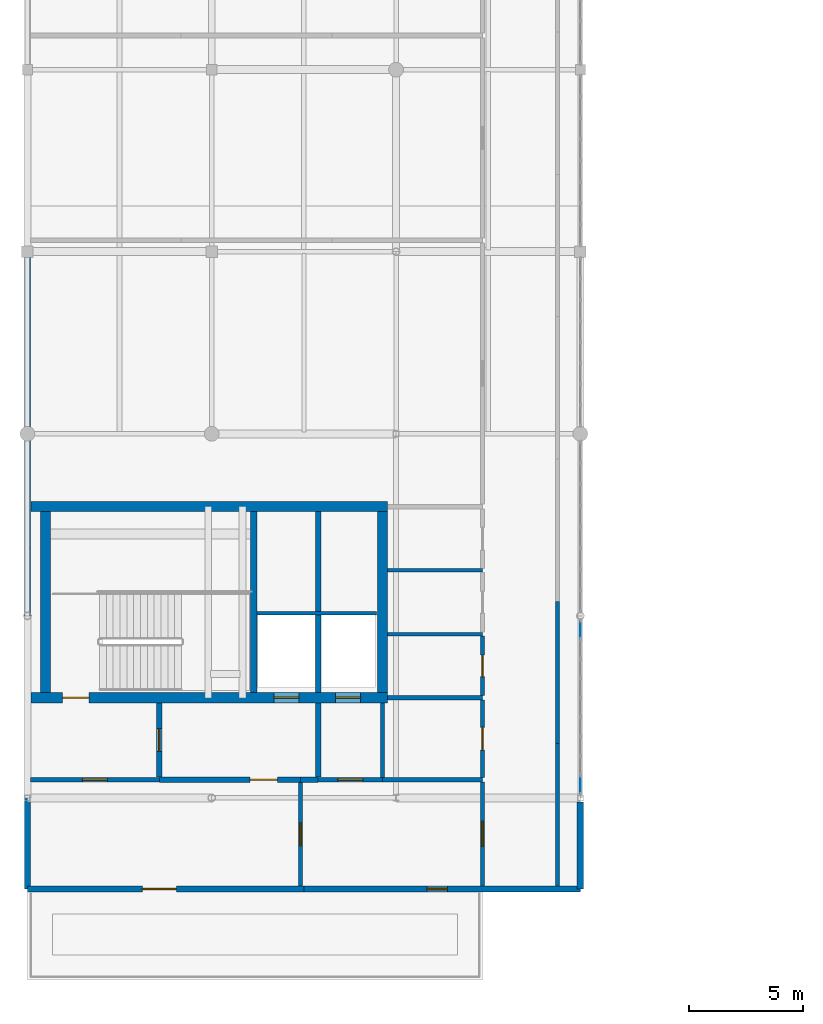
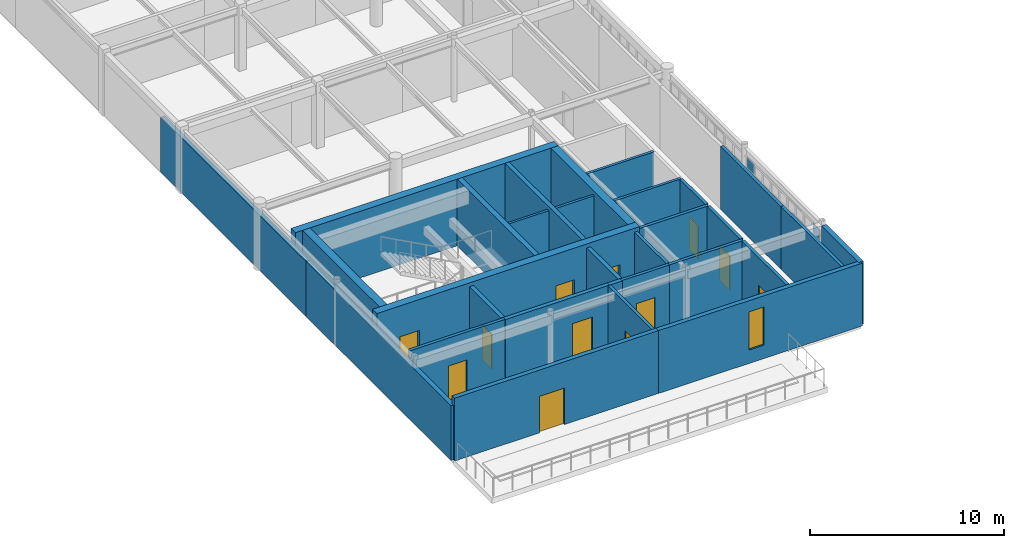
# One storey, part 12 of 18: 29 walls, 12 doors, 2 plates, 1 window, 13 openings, 1 element without a shape of its own.
"""IFC4 building model written with IfcOpenShell, lengths in metres."""

from ifc_helpers import new_model, si_unit, direction, frame, frame_2d, origin, origin_2d, place, context, subcontext, project, spatial, rectangle, extrude, material, layer, layer_set, type_object, element, fill, aggregate, save


model = new_model("IFC4")

# Units and contexts
model_context = context("Model", 3, precision=1e-05, world=origin(), true_north=direction((0.0, 1.0)))
body_context = subcontext(model_context, "Body", "Model", "MODEL_VIEW")
ifc_project = project(units=[si_unit("LENGTHUNIT", "METRE"), si_unit("AREAUNIT", "SQUARE_METRE"), si_unit("VOLUMEUNIT", "CUBIC_METRE"), si_unit("PLANEANGLEUNIT", "RADIAN"), si_unit("MASSUNIT", "GRAM", prefix="KILO")], contexts=[model_context])

# Site, building, storey
site_placement = place(None, origin())
site = spatial("IfcSite", under=ifc_project, at=site_placement, CompositionType="ELEMENT")
building_placement = place(site_placement, origin())
building = spatial("IfcBuilding", under=site, at=building_placement, Name="Tarnveldt Square Police Headquarters", CompositionType="ELEMENT")
storey_placement = place(building_placement, frame((0.0, 0.0, 29.10009765625)))
storey = spatial("IfcBuildingStorey", under=building, at=storey_placement, Name="L06", CompositionType="ELEMENT", Elevation=29.10009765625)

# Curtain wall, plates
ifc_material_1 = material(Name="Triple-glazed low-e laminated vision glass", Category="glass")
curtain_wall_type = type_object("IfcCurtainWallType", Name="CW-UP-768x349", PredefinedType="USERDEFINED", material=ifc_material_1)
curtain_wall_placement = place(storey_placement, origin())
curtain_wall = element("IfcCurtainWall", 1, at=curtain_wall_placement, inside=storey, type_object=curtain_wall_type, Name="L06 Curtain Wall CW-L06-089", ObjectType="GLAZED CURTAIN WALL", PredefinedType="USERDEFINED")
ifc_layer_1 = layer(ifc_material_1, 0.028076171875)
ifc_layer_set_1 = layer_set([ifc_layer_1], Name="Triple-glazed low-e laminated vision glass")
plate_type = type_object("IfcPlateType", Name="CWP-VIS-28", PredefinedType="CURTAIN_PANEL", material=ifc_layer_set_1)
plate_1_placement = place(storey_placement, frame((40.5, 56.5849609375, 2.771484375), z_axis=(0.0, 0.0, 1.0), x_axis=(0.0, 1.0, 0.0)))
plate_1 = element("IfcPlate", 2, at=plate_1_placement, type_object=plate_type, Name="CW-UP47 panel 1.3", PredefinedType="CURTAIN_PANEL", context=body_context, shape_type="SweptSolid", body=[
    extrude(rectangle(XDim=0.755859375, YDim=0.028076171875, at=origin_2d()), origin(), (0.0, 0.0, 1.0), 0.652587890625),
])
plate_2_placement = place(storey_placement, frame((40.5, 63.380126953125, 2.771484375), z_axis=(0.0, 0.0, 1.0), x_axis=(0.0, 1.0, 0.0)))
plate_2 = element("IfcPlate", 3, at=plate_2_placement, type_object=plate_type, Name="CW-UP47 panel 9.3", PredefinedType="CURTAIN_PANEL", context=body_context, shape_type="SweptSolid", body=[
    extrude(rectangle(XDim=0.755859375, YDim=0.028076171875, at=origin_2d()), origin(), (0.0, 0.0, 1.0), 0.652587890625),
])
aggregate(curtain_wall, [plate_1, plate_2])

# Wall, openings, doors
ifc_material_2 = material(Name="Concrete 50 MPa", Category="concrete")
ifc_layer_2 = layer(ifc_material_2, 0.449951171875)
ifc_layer_set_2 = layer_set([ifc_layer_2], Name="Concrete 50 MPa")
wall_type_1 = type_object("IfcWallType", Name="WL-CORE-450", PredefinedType="SHEAR", material=ifc_layer_set_2)
wall_1_placement = place(storey_placement, frame((16.360107421875, 60.39990234375, 0.0), z_axis=(0.0, 0.0, 1.0), x_axis=(1.0, 0.0, 0.0)))
wall_1 = element("IfcWall", 4, at=wall_1_placement, inside=storey, type_object=wall_type_1, Name="Core K1 South-West Command and Firefighting Core L06 South Shear Wall", PredefinedType="SHEAR", context=body_context, shape_type="SweptSolid", body=[
    extrude(rectangle(XDim=15.664794921875, YDim=0.449951171875, at=frame_2d((7.83251953125, 0.0))), origin(), (0.0, 0.0, 1.0), 4.199951171875),
])
opening_1_placement = place(wall_1_placement, frame((1.389892578125, 0.0, 0.0)))
opening_1 = element("IfcOpeningElement", 5, at=opening_1_placement, cuts=wall_1, Name="Opening D-ST1-L06", PredefinedType="OPENING", context=body_context, shape_type="SweptSolid", body=[
    extrude(rectangle(XDim=1.14990234375, YDim=2.25, at=frame_2d((0.574951171875, 1.125))), frame((0.0, 0.23486328125, 0.0), z_axis=(0.0, -1.0, 0.0), x_axis=(1.0, 0.0, 0.0)), (0.0, 0.0, 1.0), 0.469970703125),
])
opening_2_placement = place(wall_1_placement, frame((10.672607421875, 0.0, 0.0)))
opening_2 = element("IfcOpeningElement", 6, at=opening_2_placement, cuts=wall_1, Name="Opening LD-LF1-L06", PredefinedType="OPENING", context=body_context, shape_type="SweptSolid", body=[
    extrude(rectangle(XDim=1.10009765625, YDim=2.199951171875, at=frame_2d((0.550048828125, 1.10009765625))), frame((0.0, 0.23486328125, 0.0), z_axis=(0.0, -1.0, 0.0), x_axis=(1.0, 0.0, 0.0)), (0.0, 0.0, 1.0), 0.469970703125),
])
opening_3_placement = place(wall_1_placement, frame((13.387451171875, 0.0, 0.0)))
opening_3 = element("IfcOpeningElement", 7, at=opening_3_placement, cuts=wall_1, Name="Opening LD-LP1-L06", PredefinedType="OPENING", context=body_context, shape_type="SweptSolid", body=[
    extrude(rectangle(XDim=1.10009765625, YDim=2.199951171875, at=frame_2d((0.550048828125, 1.10009765625))), frame((0.0, 0.23486328125, 0.0), z_axis=(0.0, -1.0, 0.0), x_axis=(1.0, 0.0, 0.0)), (0.0, 0.0, 1.0), 0.469970703125),
])
ifc_material_3 = material(Name="Insulated hollow metal steel door leaf", Category="steel")
door_type_1 = type_object("IfcDoorType", Name="DR-FD90-1150", OperationType="NOTDEFINED", PredefinedType="DOOR", material=ifc_material_3)
door_1_placement = place(opening_1_placement, origin())
door_1 = element("IfcDoor", 8, at=door_1_placement, inside=storey, type_object=door_type_1, Name="Exit Stair ST1 L06 Fire Door", OperationType="SINGLE_SWING_RIGHT", OverallHeight=2.25, OverallWidth=1.14990234375, PredefinedType="DOOR", context=body_context, shape_type="SweptSolid", body=[
    extrude(rectangle(XDim=1.14990234375, YDim=2.25, at=frame_2d((0.574951171875, 1.125))), frame((0.0, 0.02490234375, 0.0), z_axis=(0.0, -1.0, 0.0), x_axis=(1.0, 0.0, 0.0)), (0.0, 0.0, 1.0), 0.050048828125),
])
fill(opening_1, door_1)
ifc_material_4 = material(Name="Steel 350W", Category="steel")
door_type_2 = type_object("IfcDoorType", Name="DR-LD-1100", OperationType="DOUBLE_DOOR_SLIDING", PredefinedType="DOOR", material=ifc_material_4)
door_2_placement = place(opening_2_placement, frame((1.10009765625, 0.0, 0.0), z_axis=(0.0, 0.0, 1.0), x_axis=(-1.0, 0.0, 0.0)))
door_2 = element("IfcDoor", 9, at=door_2_placement, inside=storey, type_object=door_type_2, Name="Elevator LF1 L06 Sliding Landing Door", OperationType="DOUBLE_DOOR_SLIDING", OverallHeight=2.199951171875, OverallWidth=1.10009765625, PredefinedType="DOOR", context=body_context, shape_type="SweptSolid", body=[
    extrude(rectangle(XDim=1.10009765625, YDim=2.199951171875, at=frame_2d((0.550048828125, 1.10009765625))), frame((0.0, 0.02490234375, 0.0), z_axis=(0.0, -1.0, 0.0), x_axis=(1.0, 0.0, 0.0)), (0.0, 0.0, 1.0), 0.050048828125),
])
fill(opening_2, door_2)
door_3_placement = place(opening_3_placement, frame((1.10009765625, 0.0, 0.0), z_axis=(0.0, 0.0, 1.0), x_axis=(-1.0, 0.0, 0.0)))
door_3 = element("IfcDoor", 10, at=door_3_placement, inside=storey, type_object=door_type_2, Name="Elevator LP1 L06 Sliding Landing Door", OperationType="DOUBLE_DOOR_SLIDING", OverallHeight=2.199951171875, OverallWidth=1.10009765625, PredefinedType="DOOR", context=body_context, shape_type="SweptSolid", body=[
    extrude(rectangle(XDim=1.10009765625, YDim=2.199951171875, at=frame_2d((0.550048828125, 1.10009765625))), frame((0.0, 0.02490234375, 0.0), z_axis=(0.0, -1.0, 0.0), x_axis=(1.0, 0.0, 0.0)), (0.0, 0.0, 1.0), 0.050048828125),
])
fill(opening_3, door_3)

# Walls
wall_2_placement = place(storey_placement, frame((16.360107421875, 68.800048828125, 0.0), z_axis=(0.0, 0.0, 1.0), x_axis=(1.0, 0.0, 0.0)))
element("IfcWall", 11, at=wall_2_placement, inside=storey, type_object=wall_type_1, Name="Core K1 South-West Command and Firefighting Core L06 North Shear Wall", PredefinedType="SHEAR", context=body_context, shape_type="SweptSolid", body=[
    extrude(rectangle(XDim=15.664794921875, YDim=0.449951171875, at=frame_2d((7.83251953125, 0.0))), origin(), (0.0, 0.0, 1.0), 4.199951171875),
])
for number, where, z_axis, x_axis, name in (
    (12, (17.0, 60.625, 0.0), (0.0, 0.0, 1.0), (0.0, 1.0, 0.0), "Core K1 South-West Command and Firefighting Core L06 West Shear Wall"),
    (13, (31.800048828125, 60.625, 0.0), (0.0, 0.0, 1.0), (0.0, 1.0, 0.0), "Core K1 South-West Command and Firefighting Core L06 East Shear Wall"),
):
    element("IfcWall", number, at=place(storey_placement, frame(where, z_axis=z_axis, x_axis=x_axis)), inside=storey, type_object=wall_type_1, Name=name, PredefinedType="SHEAR", context=body_context, shape_type="SweptSolid", body=[
        extrude(rectangle(XDim=7.949951171875, YDim=0.449951171875, at=frame_2d((3.97509765625, 0.0))), origin(), (0.0, 0.0, 1.0), 4.199951171875),
    ])
wall_3_placement = place(storey_placement, frame((26.14990234375, 60.625, 0.0), z_axis=(0.0, 0.0, 1.0), x_axis=(0.0, 1.0, 0.0)))
element("IfcWall", 14, at=wall_3_placement, inside=storey, type_object=wall_type_1, Name="Core K1 South-West Command and Firefighting Core L06 Stair-Lift Divider Shear Wall", PredefinedType="SHEAR", context=body_context, shape_type="SweptSolid", body=[
    extrude(rectangle(XDim=7.949951171875, YDim=0.300048828125, at=frame_2d((3.97509765625, 0.0))), origin(), (0.0, 0.0, 1.0), 4.199951171875),
])
wall_4_placement = place(storey_placement, frame((28.97509765625, 60.625, 0.0), z_axis=(0.0, 0.0, 1.0), x_axis=(0.0, 1.0, 0.0)))
element("IfcWall", 15, at=wall_4_placement, inside=storey, type_object=wall_type_1, Name="Core K1 South-West Command and Firefighting Core L06 Dual-Lift Shaft Divider Wall", PredefinedType="SHEAR", context=body_context, shape_type="SweptSolid", body=[
    extrude(rectangle(XDim=7.949951171875, YDim=0.25, at=frame_2d((3.97509765625, 0.0))), origin(), (0.0, 0.0, 1.0), 4.199951171875),
])
ifc_material_5 = material(Name="Precast concrete 35 MPa", Category="concrete")
ifc_layer_3 = layer(ifc_material_5, 0.260009765625)
ifc_layer_set_3 = layer_set([ifc_layer_3], Name="Precast concrete 35 MPa")
wall_type_2 = type_object("IfcWallType", Name="WL-EXT-PC260", PredefinedType="SOLIDWALL", material=ifc_layer_set_3)
for number, where, z_axis, x_axis, name in (
    (16, (16.199951171875, 82.0, 0.0), (0.0, 0.0, 1.0), (0.0, -1.0, 0.0), "L06 Brutalist Exterior Wall 0240"),
    (17, (16.199951171875, 67.0, 0.0), (0.0, 0.0, 1.0), (0.0, -1.0, 0.0), "L06 Brutalist Exterior Wall 0241"),
):
    element("IfcWall", number, at=place(storey_placement, frame(where, z_axis=z_axis, x_axis=x_axis)), inside=storey, type_object=wall_type_2, Name=name, PredefinedType="SOLIDWALL", context=body_context, shape_type="SweptSolid", body=[
        extrude(rectangle(XDim=15.0, YDim=0.260009765625, at=frame_2d((7.5, 0.0))), origin(), (0.0, 0.0, 1.0), 3.451904296875),
    ])

# Wall, opening, door
wall_5_placement = place(storey_placement, frame((16.199951171875, 52.0, 0.0), z_axis=(0.0, 0.0, 1.0), x_axis=(1.0, 0.0, 0.0)))
wall_5 = element("IfcWall", 18, at=wall_5_placement, inside=storey, type_object=wall_type_2, Name="L06 Brutalist Exterior Wall 0242", PredefinedType="SOLIDWALL", context=body_context, shape_type="SweptSolid", body=[
    extrude(rectangle(XDim=12.150146484375, YDim=0.260009765625, at=frame_2d((6.0751953125, 0.0))), origin(), (0.0, 0.0, 1.0), 3.9599609375),
])
opening_4_placement = place(wall_5_placement, frame((5.050048828125, 0.0, 0.0)))
opening_4 = element("IfcOpeningElement", 19, at=opening_4_placement, cuts=wall_5, Name="Opening DT3", PredefinedType="OPENING", context=body_context, shape_type="SweptSolid", body=[
    extrude(rectangle(XDim=1.5, YDim=2.300048828125, at=frame_2d((0.75, 1.14990234375))), frame((0.0, 0.139892578125, 0.0), z_axis=(0.0, -1.0, 0.0), x_axis=(1.0, 0.0, 0.0)), (0.0, 0.0, 1.0), 0.280029296875),
])
ifc_material_6 = material(Name="Thermally broken anodised aluminium 6063-T6", Category="aluminium")
door_type_3 = type_object("IfcDoorType", Name="DR-TER-1500", OperationType="DOUBLE_DOOR_SINGLE_SWING", PredefinedType="DOOR", material=ifc_material_6)
door_4_placement = place(opening_4_placement, frame((1.5, 0.0, 0.0), z_axis=(0.0, 0.0, 1.0), x_axis=(-1.0, 0.0, 0.0)))
door_4 = element("IfcDoor", 20, at=door_4_placement, inside=storey, type_object=door_type_3, Name="Investigation Mid-Rise Setback Terrace Access Door", OperationType="DOUBLE_DOOR_SINGLE_SWING", OverallHeight=2.300048828125, OverallWidth=1.5, PredefinedType="DOOR", context=body_context, shape_type="SweptSolid", body=[
    extrude(rectangle(XDim=1.5, YDim=2.300048828125, at=frame_2d((0.75, 1.14990234375))), frame((0.0, 0.02490234375, 0.0), z_axis=(0.0, -1.0, 0.0), x_axis=(1.0, 0.0, 0.0)), (0.0, 0.0, 1.0), 0.050048828125),
])
fill(opening_4, door_4)

# Wall, opening, window
wall_6_placement = place(storey_placement, frame((28.35009765625, 52.0, 0.0), z_axis=(0.0, 0.0, 1.0), x_axis=(1.0, 0.0, 0.0)))
wall_6 = element("IfcWall", 21, at=wall_6_placement, inside=storey, type_object=wall_type_2, Name="L06 Brutalist Exterior Wall 0243", PredefinedType="SOLIDWALL", context=body_context, shape_type="SweptSolid", body=[
    extrude(rectangle(XDim=12.14990234375, YDim=0.260009765625, at=frame_2d((6.074951171875, 0.0))), origin(), (0.0, 0.0, 1.0), 3.9599609375),
])
opening_5_placement = place(wall_6_placement, frame((5.39990234375, 0.0, 0.85009765625)))
opening_5 = element("IfcOpeningElement", 22, at=opening_5_placement, cuts=wall_6, Name="Opening W03", PredefinedType="OPENING", context=body_context, shape_type="SweptSolid", body=[
    extrude(rectangle(XDim=0.89990234375, YDim=2.39990234375, at=frame_2d((0.449951171875, 1.199951171875))), frame((0.0, 0.139892578125, 0.0), z_axis=(0.0, -1.0, 0.0), x_axis=(1.0, 0.0, 0.0)), (0.0, 0.0, 1.0), 0.280029296875),
])
window_type = type_object("IfcWindowType", Name="WIN-DR-090x240", PartitioningType="DOUBLE_PANEL_HORIZONTAL", PredefinedType="WINDOW", material=ifc_material_1)
window_placement = place(opening_5_placement, origin())
window = element("IfcWindow", 23, at=window_placement, inside=storey, type_object=window_type, Name="L06 Deep-Reveal Brutalist Window 0123", OverallHeight=2.39990234375, OverallWidth=0.89990234375, PartitioningType="DOUBLE_PANEL_HORIZONTAL", PredefinedType="WINDOW", context=body_context, shape_type="SweptSolid", body=[
    extrude(rectangle(XDim=0.89990234375, YDim=2.39990234375, at=frame_2d((0.449951171875, 1.199951171875))), frame((0.0, 0.030029296875, 0.0), z_axis=(0.0, -1.0, 0.0), x_axis=(1.0, 0.0, 0.0)), (0.0, 0.0, 1.0), 0.06005859375),
])
fill(opening_5, window)

# Wall
ifc_layer_4 = layer(ifc_material_5, 0.280029296875)
ifc_layer_set_4 = layer_set([ifc_layer_4], Name="Precast concrete 35 MPa")
wall_type_3 = type_object("IfcWallType", Name="WL-EXT-PC280", PredefinedType="SOLIDWALL", material=ifc_layer_set_4)
wall_7_placement = place(storey_placement, frame((40.5, 52.0, 0.0), z_axis=(0.0, 0.0, 1.0), x_axis=(0.0, 1.0, 0.0)))
element("IfcWall", 24, at=wall_7_placement, inside=storey, type_object=wall_type_3, Name="L06 Brutalist Exterior Wall 0229", PredefinedType="SOLIDWALL", context=body_context, shape_type="SweptSolid", body=[
    extrude(rectangle(XDim=3.820068359375, YDim=0.280029296875, at=frame_2d((1.91015625, 0.0))), origin(), (0.0, 0.0, 1.0), 3.9599609375),
])

# Wall, opening, door
ifc_material_7 = material(Name="Fire-rated Type X gypsum board on steel studs", Category="steel")
ifc_layer_5 = layer(ifc_material_7, 0.179931640625)
ifc_layer_set_5 = layer_set([ifc_layer_5], Name="Fire-rated Type X gypsum board on steel studs")
wall_type_4 = type_object("IfcWallType", Name="WL-FIRE-180", PredefinedType="PARTITIONING", material=ifc_layer_set_5)
wall_8_placement = place(storey_placement, frame((16.337890625, 56.800048828125, 0.0), z_axis=(0.0, 0.0, 1.0), x_axis=(1.0, 0.0, 0.0)))
wall_8 = element("IfcWall", 25, at=wall_8_placement, inside=storey, type_object=wall_type_4, Name="L06 Interior Partition Wall 0660", PredefinedType="PARTITIONING", context=body_context, shape_type="SweptSolid", body=[
    extrude(rectangle(XDim=5.662109375, YDim=0.179931640625, at=frame_2d((2.8310546875, 0.0))), origin(), (0.0, 0.0, 1.0), 3.9599609375),
])
opening_6_placement = place(wall_8_placement, frame((2.281005859375, 0.0, 0.0)))
opening_6 = element("IfcOpeningElement", 26, at=opening_6_placement, cuts=wall_8, Name="Opening D15", PredefinedType="OPENING", context=body_context, shape_type="SweptSolid", body=[
    extrude(rectangle(XDim=1.10009765625, YDim=2.199951171875, at=frame_2d((0.550048828125, 1.10009765625))), frame((0.0, 0.099853515625, 0.0), z_axis=(0.0, -1.0, 0.0), x_axis=(1.0, 0.0, 0.0)), (0.0, 0.0, 1.0), 0.199951171875),
])
door_type_4 = type_object("IfcDoorType", Name="DR-FD60-1100", OperationType="NOTDEFINED", PredefinedType="DOOR", material=ifc_material_3)
door_5_placement = place(opening_6_placement, frame((1.10009765625, 0.0, 0.0), z_axis=(0.0, 0.0, 1.0), x_axis=(-1.0, 0.0, 0.0)))
door_5 = element("IfcDoor", 27, at=door_5_placement, inside=storey, type_object=door_type_4, Name="Core Stair Lobby K1-L06 Door", OperationType="SINGLE_SWING_RIGHT", OverallHeight=2.199951171875, OverallWidth=1.10009765625, PredefinedType="DOOR", context=body_context, shape_type="SweptSolid", body=[
    extrude(rectangle(XDim=1.10009765625, YDim=2.199951171875, at=frame_2d((0.550048828125, 1.10009765625))), frame((0.0, 0.02490234375, 0.0), z_axis=(0.0, -1.0, 0.0), x_axis=(1.0, 0.0, 0.0)), (0.0, 0.0, 1.0), 0.050048828125),
])
fill(opening_6, door_5)

wall_9_placement = place(storey_placement, frame((28.97509765625, 56.800048828125, 0.0), z_axis=(0.0, 0.0, 1.0), x_axis=(1.0, 0.0, 0.0)))
wall_9 = element("IfcWall", 28, at=wall_9_placement, inside=storey, type_object=wall_type_4, Name="L06 Interior Partition Wall 0671", PredefinedType="PARTITIONING", context=body_context, shape_type="SweptSolid", body=[
    extrude(rectangle(XDim=2.824951171875, YDim=0.179931640625, at=frame_2d((1.41259765625, 0.0))), origin(), (0.0, 0.0, 1.0), 3.9599609375),
])
opening_7_placement = place(wall_9_placement, frame((0.862548828125, 0.0, 0.0)))
opening_7 = element("IfcOpeningElement", 29, at=opening_7_placement, cuts=wall_9, Name="Opening D15", PredefinedType="OPENING", context=body_context, shape_type="SweptSolid", body=[
    extrude(rectangle(XDim=1.10009765625, YDim=2.199951171875, at=frame_2d((0.550048828125, 1.10009765625))), frame((0.0, 0.099853515625, 0.0), z_axis=(0.0, -1.0, 0.0), x_axis=(1.0, 0.0, 0.0)), (0.0, 0.0, 1.0), 0.199951171875),
])
door_6_placement = place(opening_7_placement, frame((1.10009765625, 0.0, 0.0), z_axis=(0.0, 0.0, 1.0), x_axis=(-1.0, 0.0, 0.0)))
door_6 = element("IfcDoor", 30, at=door_6_placement, inside=storey, type_object=door_type_4, Name="Passenger Lift Lobby K1-L06 Door", OperationType="SINGLE_SWING_RIGHT", OverallHeight=2.199951171875, OverallWidth=1.10009765625, PredefinedType="DOOR", context=body_context, shape_type="SweptSolid", body=[
    extrude(rectangle(XDim=1.10009765625, YDim=2.199951171875, at=frame_2d((0.550048828125, 1.10009765625))), frame((0.0, 0.02490234375, 0.0), z_axis=(0.0, -1.0, 0.0), x_axis=(1.0, 0.0, 0.0)), (0.0, 0.0, 1.0), 0.050048828125),
])
fill(opening_7, door_6)

# Walls
wall_10_placement = place(storey_placement, frame((31.800048828125, 56.800048828125, 0.0), z_axis=(0.0, 0.0, 1.0), x_axis=(1.0, 0.0, 0.0)))
element("IfcWall", 31, at=wall_10_placement, inside=storey, type_object=wall_type_4, Name="L06 Interior Partition Wall 0674", PredefinedType="PARTITIONING", context=body_context, shape_type="SweptSolid", body=[
    extrude(rectangle(XDim=4.39990234375, YDim=0.179931640625, at=frame_2d((2.199951171875, 0.0))), origin(), (0.0, 0.0, 1.0), 3.9599609375),
])
wall_11_placement = place(storey_placement, frame((32.02490234375, 60.39990234375, 0.0), z_axis=(0.0, 0.0, 1.0), x_axis=(1.0, 0.0, 0.0)))
element("IfcWall", 32, at=wall_11_placement, inside=storey, type_object=wall_type_4, Name="L06 Interior Partition Wall 0675", PredefinedType="PARTITIONING", context=body_context, shape_type="SweptSolid", body=[
    extrude(rectangle(XDim=4.175048828125, YDim=0.179931640625, at=frame_2d((2.08740234375, 0.0))), origin(), (0.0, 0.0, 1.0), 3.9599609375),
])

# Wall, opening, door
wall_12_placement = place(storey_placement, frame((28.199951171875, 52.137939453125, 0.0), z_axis=(0.0, 0.0, 1.0), x_axis=(0.0, 1.0, 0.0)))
wall_12 = element("IfcWall", 33, at=wall_12_placement, inside=storey, type_object=wall_type_4, Name="L06 Interior Partition Wall 0685", PredefinedType="PARTITIONING", context=body_context, shape_type="SweptSolid", body=[
    extrude(rectangle(XDim=4.5341796875, YDim=0.179931640625, at=frame_2d((2.26708984375, 0.0))), origin(), (0.0, 0.0, 1.0), 3.9599609375),
])
opening_8_placement = place(wall_12_placement, frame((1.76708984375, 0.0, 0.0)))
opening_8 = element("IfcOpeningElement", 34, at=opening_8_placement, cuts=wall_12, Name="Opening D05", PredefinedType="OPENING", context=body_context, shape_type="SweptSolid", body=[
    extrude(rectangle(XDim=1.0, YDim=2.199951171875, at=frame_2d((0.5, 1.10009765625))), frame((0.0, 0.099853515625, 0.0), z_axis=(0.0, -1.0, 0.0), x_axis=(1.0, 0.0, 0.0)), (0.0, 0.0, 1.0), 0.199951171875),
])
ifc_material_8 = material(Name="Solid core architectural birch door leaf", Category="wood")
door_type_5 = type_object("IfcDoorType", Name="DR-INT-1000", OperationType="NOTDEFINED", PredefinedType="DOOR", material=ifc_material_8)
door_7_placement = place(opening_8_placement, origin())
door_7 = element("IfcDoor", 35, at=door_7_placement, inside=storey, type_object=door_type_5, Name="Investigators South Terrace Lounge L06 Door", OperationType="SINGLE_SWING_LEFT", OverallHeight=2.199951171875, OverallWidth=1.0, PredefinedType="DOOR", context=body_context, shape_type="SweptSolid", body=[
    extrude(rectangle(XDim=1.0, YDim=2.199951171875, at=frame_2d((0.5, 1.10009765625))), frame((0.0, 0.02490234375, 0.0), z_axis=(0.0, -1.0, 0.0), x_axis=(1.0, 0.0, 0.0)), (0.0, 0.0, 1.0), 0.050048828125),
])
fill(opening_8, door_7)

# Wall
wall_13_placement = place(storey_placement, frame((31.800048828125, 56.89794921875, 0.0), z_axis=(0.0, 0.0, 1.0), x_axis=(0.0, 1.0, 0.0)))
element("IfcWall", 36, at=wall_13_placement, inside=storey, type_object=wall_type_4, Name="L06 Interior Partition Wall 0689", PredefinedType="PARTITIONING", context=body_context, shape_type="SweptSolid", body=[
    extrude(rectangle(XDim=3.26904296875, YDim=0.179931640625, at=frame_2d((1.634521484375, 0.0))), origin(), (0.0, 0.0, 1.0), 3.9599609375),
])

# Wall, opening, door
wall_14_placement = place(storey_placement, frame((36.199951171875, 52.137939453125, 0.0), z_axis=(0.0, 0.0, 1.0), x_axis=(0.0, 1.0, 0.0)))
wall_14 = element("IfcWall", 37, at=wall_14_placement, inside=storey, type_object=wall_type_4, Name="L06 Interior Partition Wall 0690", PredefinedType="PARTITIONING", context=body_context, shape_type="SweptSolid", body=[
    extrude(rectangle(XDim=4.56396484375, YDim=0.179931640625, at=frame_2d((2.281982421875, 0.0))), origin(), (0.0, 0.0, 1.0), 3.9599609375),
])
opening_9_placement = place(wall_14_placement, frame((1.73193359375, 0.0, 0.0)))
opening_9 = element("IfcOpeningElement", 38, at=opening_9_placement, cuts=wall_14, Name="Opening D15", PredefinedType="OPENING", context=body_context, shape_type="SweptSolid", body=[
    extrude(rectangle(XDim=1.10009765625, YDim=2.199951171875, at=frame_2d((0.550048828125, 1.10009765625))), frame((0.0, 0.099853515625, 0.0), z_axis=(0.0, -1.0, 0.0), x_axis=(1.0, 0.0, 0.0)), (0.0, 0.0, 1.0), 0.199951171875),
])
door_8_placement = place(opening_9_placement, origin())
door_8 = element("IfcDoor", 39, at=door_8_placement, inside=storey, type_object=door_type_4, Name="Core K1 South Link Corridor L06 Door", OperationType="SINGLE_SWING_RIGHT", OverallHeight=2.199951171875, OverallWidth=1.10009765625, PredefinedType="DOOR", context=body_context, shape_type="SweptSolid", body=[
    extrude(rectangle(XDim=1.10009765625, YDim=2.199951171875, at=frame_2d((0.550048828125, 1.10009765625))), frame((0.0, 0.02490234375, 0.0), z_axis=(0.0, -1.0, 0.0), x_axis=(1.0, 0.0, 0.0)), (0.0, 0.0, 1.0), 0.050048828125),
])
fill(opening_9, door_8)

wall_15_placement = place(storey_placement, frame((36.199951171875, 56.89794921875, 0.0), z_axis=(0.0, 0.0, 1.0), x_axis=(0.0, 1.0, 0.0)))
wall_15 = element("IfcWall", 40, at=wall_15_placement, inside=storey, type_object=wall_type_4, Name="L06 Interior Partition Wall 0691", PredefinedType="PARTITIONING", context=body_context, shape_type="SweptSolid", body=[
    extrude(rectangle(XDim=3.404052734375, YDim=0.179931640625, at=frame_2d((1.7021484375, 0.0))), origin(), (0.0, 0.0, 1.0), 3.9599609375),
])
opening_10_placement = place(wall_15_placement, frame((1.201904296875, 0.0, 0.0)))
opening_10 = element("IfcOpeningElement", 41, at=opening_10_placement, cuts=wall_15, Name="Opening D14", PredefinedType="OPENING", context=body_context, shape_type="SweptSolid", body=[
    extrude(rectangle(XDim=1.0, YDim=2.14990234375, at=frame_2d((0.5, 1.074951171875))), frame((0.0, 0.099853515625, 0.0), z_axis=(0.0, -1.0, 0.0), x_axis=(1.0, 0.0, 0.0)), (0.0, 0.0, 1.0), 0.199951171875),
])
door_type_6 = type_object("IfcDoorType", Name="DR-FD60-1000", OperationType="NOTDEFINED", PredefinedType="DOOR", material=ifc_material_3)
door_9_placement = place(opening_10_placement, origin())
door_9 = element("IfcDoor", 42, at=door_9_placement, inside=storey, type_object=door_type_6, Name="Electrical Distribution Room L06 Door", OperationType="SINGLE_SWING_LEFT", OverallHeight=2.14990234375, OverallWidth=1.0, PredefinedType="DOOR", context=body_context, shape_type="SweptSolid", body=[
    extrude(rectangle(XDim=1.0, YDim=2.14990234375, at=frame_2d((0.5, 1.074951171875))), frame((0.0, 0.02490234375, 0.0), z_axis=(0.0, -1.0, 0.0), x_axis=(1.0, 0.0, 0.0)), (0.0, 0.0, 1.0), 0.050048828125),
])
fill(opening_10, door_9)

wall_16_placement = place(storey_placement, frame((36.199951171875, 60.498046875, 0.0), z_axis=(0.0, 0.0, 1.0), x_axis=(0.0, 1.0, 0.0)))
wall_16 = element("IfcWall", 43, at=wall_16_placement, inside=storey, type_object=wall_type_4, Name="L06 Interior Partition Wall 0692", PredefinedType="PARTITIONING", context=body_context, shape_type="SweptSolid", body=[
    extrude(rectangle(XDim=2.614013671875, YDim=0.179931640625, at=frame_2d((1.30712890625, 0.0))), origin(), (0.0, 0.0, 1.0), 3.9599609375),
])
opening_11_placement = place(wall_16_placement, frame((0.83203125, 0.0, 0.0)))
opening_11 = element("IfcOpeningElement", 44, at=opening_11_placement, cuts=wall_16, Name="Opening D02", PredefinedType="OPENING", context=body_context, shape_type="SweptSolid", body=[
    extrude(rectangle(XDim=0.949951171875, YDim=2.10009765625, at=frame_2d((0.47509765625, 1.050048828125))), frame((0.0, 0.099853515625, 0.0), z_axis=(0.0, -1.0, 0.0), x_axis=(1.0, 0.0, 0.0)), (0.0, 0.0, 1.0), 0.199951171875),
])
door_type_7 = type_object("IfcDoorType", Name="DR-WC-950", OperationType="NOTDEFINED", PredefinedType="DOOR", material=ifc_material_8)
door_10_placement = place(opening_11_placement, origin())
door_10 = element("IfcDoor", 45, at=door_10_placement, inside=storey, type_object=door_type_7, Name="Men Washroom L06 Door", OperationType="SINGLE_SWING_RIGHT", OverallHeight=2.10009765625, OverallWidth=0.949951171875, PredefinedType="DOOR", context=body_context, shape_type="SweptSolid", body=[
    extrude(rectangle(XDim=0.949951171875, YDim=2.10009765625, at=frame_2d((0.47509765625, 1.050048828125))), frame((0.0, 0.02490234375, 0.0), z_axis=(0.0, -1.0, 0.0), x_axis=(1.0, 0.0, 0.0)), (0.0, 0.0, 1.0), 0.050048828125),
])
fill(opening_11, door_10)

# Walls
wall_17_placement = place(storey_placement, frame((39.5, 52.137939453125, 0.0), z_axis=(0.0, 0.0, 1.0), x_axis=(0.0, 1.0, 0.0)))
element("IfcWall", 46, at=wall_17_placement, inside=storey, type_object=wall_type_4, Name="L06 Interior Partition Wall 0699", PredefinedType="PARTITIONING", context=body_context, shape_type="SweptSolid", body=[
    extrude(rectangle(XDim=6.251953125, YDim=0.179931640625, at=frame_2d((3.1259765625, 0.0))), origin(), (0.0, 0.0, 1.0), 3.9599609375),
])
wall_18_placement = place(storey_placement, frame((39.5, 58.389892578125, 0.0), z_axis=(0.0, 0.0, 1.0), x_axis=(0.0, 1.0, 0.0)))
element("IfcWall", 47, at=wall_18_placement, inside=storey, type_object=wall_type_4, Name="L06 Interior Partition Wall 0700", PredefinedType="PARTITIONING", context=body_context, shape_type="SweptSolid", body=[
    extrude(rectangle(XDim=6.252197265625, YDim=0.179931640625, at=frame_2d((3.1259765625, 0.0))), origin(), (0.0, 0.0, 1.0), 3.9599609375),
])

# Wall, opening, door
ifc_material_9 = material(Name="Concrete block masonry 15 MPa", Category="masonry")
ifc_layer_6 = layer(ifc_material_9, 0.239990234375)
ifc_layer_set_6 = layer_set([ifc_layer_6], Name="Concrete block masonry 15 MPa")
wall_type_5 = type_object("IfcWallType", Name="WL-FIRE-240", PredefinedType="PARTITIONING", material=ifc_layer_set_6)
wall_19_placement = place(storey_placement, frame((22.0, 56.800048828125, 0.0), z_axis=(0.0, 0.0, 1.0), x_axis=(1.0, 0.0, 0.0)))
wall_19 = element("IfcWall", 48, at=wall_19_placement, inside=storey, type_object=wall_type_5, Name="L06 Interior Partition Wall 0669", PredefinedType="PARTITIONING", context=body_context, shape_type="SweptSolid", body=[
    extrude(rectangle(XDim=6.199951171875, YDim=0.239990234375, at=frame_2d((3.10009765625, 0.0))), origin(), (0.0, 0.0, 1.0), 3.9599609375),
])
opening_12_placement = place(wall_19_placement, frame((3.988037109375, 0.0, 0.0)))
opening_12 = element("IfcOpeningElement", 49, at=opening_12_placement, cuts=wall_19, Name="Opening D20", PredefinedType="OPENING", context=body_context, shape_type="SweptSolid", body=[
    extrude(rectangle(XDim=1.199951171875, YDim=2.300048828125, at=frame_2d((0.60009765625, 1.14990234375))), frame((0.0, 0.1298828125, 0.0), z_axis=(0.0, -1.0, 0.0), x_axis=(1.0, 0.0, 0.0)), (0.0, 0.0, 1.0), 0.260009765625),
])
door_type_8 = type_object("IfcDoorType", Name="DR-FD90-1200", OperationType="NOTDEFINED", PredefinedType="DOOR", material=ifc_material_3)
door_11_placement = place(opening_12_placement, frame((1.199951171875, 0.0, 0.0), z_axis=(0.0, 0.0, 1.0), x_axis=(-1.0, 0.0, 0.0)))
door_11 = element("IfcDoor", 50, at=door_11_placement, inside=storey, type_object=door_type_8, Name="Firefighting Lift Lobby K1-L06 Door", OperationType="SINGLE_SWING_LEFT", OverallHeight=2.300048828125, OverallWidth=1.199951171875, PredefinedType="DOOR", context=body_context, shape_type="SweptSolid", body=[
    extrude(rectangle(XDim=1.199951171875, YDim=2.300048828125, at=frame_2d((0.60009765625, 1.14990234375))), frame((0.0, 0.02490234375, 0.0), z_axis=(0.0, -1.0, 0.0), x_axis=(1.0, 0.0, 0.0)), (0.0, 0.0, 1.0), 0.050048828125),
])
fill(opening_12, door_11)

# Wall
wall_20_placement = place(storey_placement, frame((28.199951171875, 56.800048828125, 0.0), z_axis=(0.0, 0.0, 1.0), x_axis=(1.0, 0.0, 0.0)))
element("IfcWall", 51, at=wall_20_placement, inside=storey, type_object=wall_type_5, Name="L06 Interior Partition Wall 0670", PredefinedType="PARTITIONING", context=body_context, shape_type="SweptSolid", body=[
    extrude(rectangle(XDim=0.775146484375, YDim=0.239990234375, at=frame_2d((0.3876953125, 0.0))), origin(), (0.0, 0.0, 1.0), 3.9599609375),
])

# Wall, opening, door
wall_21_placement = place(storey_placement, frame((22.0, 56.927978515625, 0.0), z_axis=(0.0, 0.0, 1.0), x_axis=(0.0, 1.0, 0.0)))
wall_21 = element("IfcWall", 52, at=wall_21_placement, inside=storey, type_object=wall_type_5, Name="L06 Interior Partition Wall 0684", PredefinedType="PARTITIONING", context=body_context, shape_type="SweptSolid", body=[
    extrude(rectangle(XDim=3.239013671875, YDim=0.239990234375, at=frame_2d((1.61962890625, 0.0))), origin(), (0.0, 0.0, 1.0), 3.9599609375),
])
opening_13_placement = place(wall_21_placement, frame((1.119384765625, 0.0, 0.0)))
opening_13 = element("IfcOpeningElement", 53, at=opening_13_placement, cuts=wall_21, Name="Opening D17", PredefinedType="OPENING", context=body_context, shape_type="SweptSolid", body=[
    extrude(rectangle(XDim=1.0, YDim=2.199951171875, at=frame_2d((0.5, 1.10009765625))), frame((0.0, 0.1298828125, 0.0), z_axis=(0.0, -1.0, 0.0), x_axis=(1.0, 0.0, 0.0)), (0.0, 0.0, 1.0), 0.260009765625),
])
door_type_9 = type_object("IfcDoorType", Name="DR-FD90-1000", OperationType="NOTDEFINED", PredefinedType="DOOR", material=ifc_material_3)
door_12_placement = place(opening_13_placement, origin())
door_12 = element("IfcDoor", 54, at=door_12_placement, inside=storey, type_object=door_type_9, Name="Firefighting Lift Lobby K1-L06 Secondary Door", OperationType="SINGLE_SWING_RIGHT", OverallHeight=2.199951171875, OverallWidth=1.0, PredefinedType="DOOR", context=body_context, shape_type="SweptSolid", body=[
    extrude(rectangle(XDim=1.0, YDim=2.199951171875, at=frame_2d((0.5, 1.10009765625))), frame((0.0, 0.02490234375, 0.0), z_axis=(0.0, -1.0, 0.0), x_axis=(1.0, 0.0, 0.0)), (0.0, 0.0, 1.0), 0.050048828125),
])
fill(opening_13, door_12)

# Walls
wall_22_placement = place(storey_placement, frame((28.97509765625, 56.927978515625, 0.0), z_axis=(0.0, 0.0, 1.0), x_axis=(0.0, 1.0, 0.0)))
element("IfcWall", 55, at=wall_22_placement, inside=storey, type_object=wall_type_5, Name="L06 Interior Partition Wall 0686", PredefinedType="PARTITIONING", context=body_context, shape_type="SweptSolid", body=[
    extrude(rectangle(XDim=3.239013671875, YDim=0.239990234375, at=frame_2d((1.61962890625, 0.0))), origin(), (0.0, 0.0, 1.0), 3.9599609375),
])
ifc_layer_7 = layer(ifc_material_7, 0.14990234375)
ifc_layer_set_7 = layer_set([ifc_layer_7], Name="Fire-rated Type X gypsum board on steel studs")
wall_type_6 = type_object("IfcWallType", Name="WL-SHAFT-150", PredefinedType="PARTITIONING", material=ifc_layer_set_7)
wall_23_placement = place(storey_placement, frame((26.300048828125, 64.1201171875, 0.0), z_axis=(0.0, 0.0, 1.0), x_axis=(1.0, 0.0, 0.0)))
element("IfcWall", 56, at=wall_23_placement, inside=storey, type_object=wall_type_6, Name="K1 L06 Elevator Shaft Back Wall", PredefinedType="PARTITIONING", context=body_context, shape_type="SweptSolid", body=[
    extrude(rectangle(XDim=5.25, YDim=0.14990234375, at=frame_2d((2.625, 0.0))), origin(), (0.0, 0.0, 1.0), 3.9599609375),
])
ifc_layer_8 = layer(ifc_material_9, 0.159912109375)
ifc_layer_set_8 = layer_set([ifc_layer_8], Name="Concrete block masonry 15 MPa")
wall_type_7 = type_object("IfcWallType", Name="WL-WET-160", PredefinedType="PARTITIONING", material=ifc_layer_set_8)
for number, where, z_axis, x_axis, name in (
    (57, (32.032958984375, 63.199951171875, 0.0), (0.0, 0.0, 1.0), (1.0, 0.0, 0.0), "L06 Interior Partition Wall 0676"),
    (58, (32.032958984375, 66.0, 0.0), (0.0, 0.0, 1.0), (1.0, 0.0, 0.0), "L06 Interior Partition Wall 0677"),
):
    element("IfcWall", number, at=place(storey_placement, frame(where, z_axis=z_axis, x_axis=x_axis)), inside=storey, type_object=wall_type_7, Name=name, PredefinedType="PARTITIONING", context=body_context, shape_type="SweptSolid", body=[
        extrude(rectangle(XDim=4.1669921875, YDim=0.159912109375, at=frame_2d((2.08349609375, 0.0))), origin(), (0.0, 0.0, 1.0), 3.9599609375),
    ])

save(model, "model.ifc")
